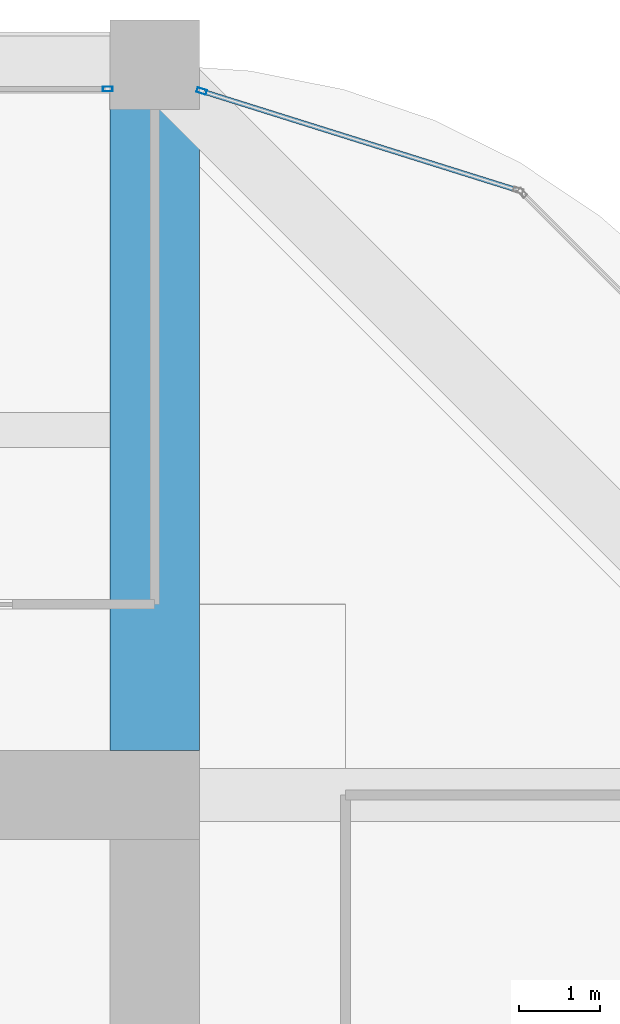
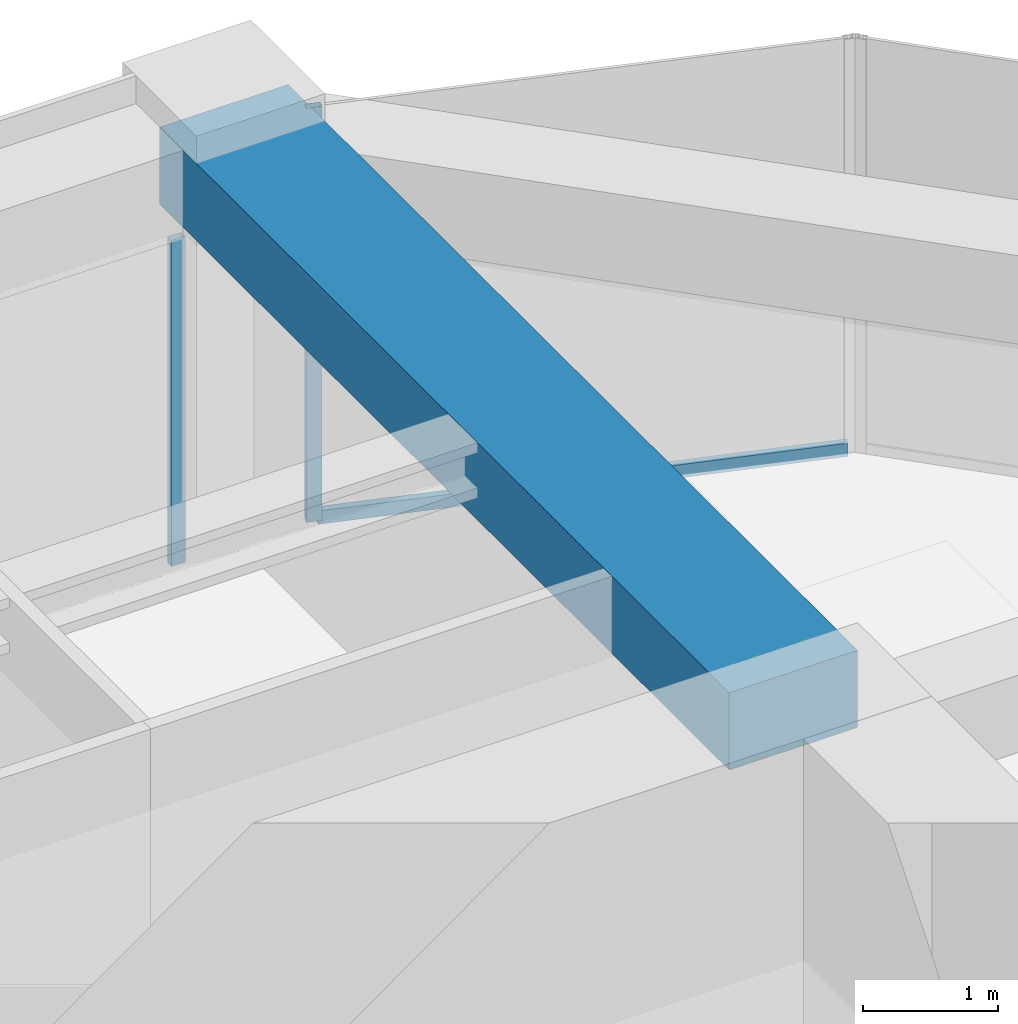
# One storey, part 37 of 44: 3 members, 1 beam, 2 elements without a shape of their own.
"""IFC4 building model written with IfcOpenShell, lengths in metres."""

from ifc_helpers import new_model, si_unit, direction, frame, origin, origin_2d, place, context, subcontext, project, spatial, rectangle, hollow_rectangle, extrude, material, material_profile, profile_set, type_object, element, aggregate, save


model = new_model("IFC4")

# Units and contexts
model_context = context("Model", 3, precision=1e-05, world=origin(), true_north=direction((0.0, 1.0)))
body_context = subcontext(model_context, "Body", "Model", "MODEL_VIEW")
ifc_project = project(units=[si_unit("LENGTHUNIT", "METRE"), si_unit("AREAUNIT", "SQUARE_METRE"), si_unit("VOLUMEUNIT", "CUBIC_METRE"), si_unit("PLANEANGLEUNIT", "RADIAN"), si_unit("MASSUNIT", "GRAM", prefix="KILO")], contexts=[model_context])

# Site, building, storey
site_placement = place(None, origin())
site = spatial("IfcSite", under=ifc_project, at=site_placement, CompositionType="ELEMENT")
building_placement = place(site_placement, origin())
building = spatial("IfcBuilding", under=site, at=building_placement, Name="Zorevar Civic Tower", CompositionType="ELEMENT")
storey_placement = place(building_placement, frame((0.0, 0.0, 251.39990234375)))
storey = spatial("IfcBuildingStorey", under=building, at=storey_placement, Name="L61", CompositionType="ELEMENT", Elevation=251.39990234375)

# Beam
ifc_material_1 = material(Name="Concrete C50/60", Category="concrete")
ifc_material_profile_1 = material_profile(ifc_material_1, rectangle(XDim=1.10009765625, YDim=0.699951171875, at=origin_2d()), Name="RC 1100x700")
ifc_profile_set_1 = profile_set([ifc_material_profile_1], Name="Concrete C50/60")
beam_type = type_object("IfcBeamType", Name="Beam RC 1100x700", PredefinedType="BEAM", material=ifc_profile_set_1)
beam_placement = place(storey_placement, frame((45.0, 36.550048828125, 3.400146484375), z_axis=(0.0, 1.0, 0.0), x_axis=(-1.0, 0.0, 0.0)))
element("IfcBeam", 1, at=beam_placement, inside=storey, type_object=beam_type, Name="Girder L62", PredefinedType="BEAM", context=body_context, shape_type="SweptSolid", body=[
    extrude(rectangle(XDim=1.10009765625, YDim=0.699951171875, at=origin_2d()), origin(), (0.0, 0.0, 1.0), 8.449951171875),
])

# Curtain wall, member
ifc_material_2 = material(Name="Dark grey solar-control glass in black aluminium frame", Category="aluminium")
curtain_wall_type = type_object("IfcCurtainWallType", Name="Curtain wall CW5 top zone", PredefinedType="NOTDEFINED", material=ifc_material_2)
curtain_wall_1_placement = place(storey_placement, origin())
curtain_wall_1 = element("IfcCurtainWall", 2, at=curtain_wall_1_placement, inside=storey, type_object=curtain_wall_type, Name="CW5 L61", PredefinedType="NOTDEFINED")
ifc_material_3 = material(Name="Aluminium, black anodised", Category="aluminium")
ifc_material_profile_2 = material_profile(ifc_material_3, hollow_rectangle(XDim=0.06005859375, YDim=0.1201171875, WallThickness=0.0029296875, at=origin_2d()), Name="AL 120x60x3")
ifc_profile_set_2 = profile_set([ifc_material_profile_2], Name="Aluminium, black anodised")
member_type_1 = type_object("IfcMemberType", Name="CW5 mullion AL 120x60x3", PredefinedType="MULLION", material=ifc_profile_set_2)
member_1_placement = place(storey_placement, frame((44.419921875, 44.699951171875, 0.0), z_axis=(0.0, 0.0, 1.0), x_axis=(0.0, 1.0, 0.0)))
member_1 = element("IfcMember", 3, at=member_1_placement, type_object=member_type_1, Name="CW5 mullion 3", PredefinedType="MULLION", context=body_context, shape_type="SweptSolid", body=[
    extrude(hollow_rectangle(XDim=0.06005859375, YDim=0.1201171875, WallThickness=0.0029296875, at=origin_2d()), origin(), (0.0, 0.0, 1.0), 2.9501953125),
])
aggregate(curtain_wall_1, [member_1])

# Curtain wall, members
curtain_wall_2_placement = place(storey_placement, origin())
curtain_wall_2 = element("IfcCurtainWall", 4, at=curtain_wall_2_placement, inside=storey, type_object=curtain_wall_type, Name="CW5 L61", PredefinedType="NOTDEFINED")
member_2_placement = place(storey_placement, frame((45.57861328125, 44.673583984375, 0.0), z_axis=(0.0, 0.0, 1.0), x_axis=(-0.299317920238, -0.954153437674, 0.0)))
member_2 = element("IfcMember", 5, at=member_2_placement, type_object=member_type_1, Name="CW5 mullion 2", PredefinedType="MULLION", context=body_context, shape_type="SweptSolid", body=[
    extrude(hollow_rectangle(XDim=0.06005859375, YDim=0.1201171875, WallThickness=0.0029296875, at=origin_2d()), origin(), (0.0, 0.0, 1.0), 3.75),
])
ifc_material_4 = material(Name="Aluminium, black anodised", Category="aluminium")
ifc_material_profile_3 = material_profile(ifc_material_4, hollow_rectangle(XDim=0.06005859375, YDim=0.1201171875, WallThickness=0.0029296875, at=origin_2d()), Name="AL 120x60x3")
ifc_profile_set_3 = profile_set([ifc_material_profile_3], Name="Aluminium, black anodised")
member_type_2 = type_object("IfcMemberType", Name="CW5 transom AL 120x60x3", PredefinedType="USERDEFINED", material=ifc_profile_set_3)
member_3_placement = place(storey_placement, frame((49.45068359375, 43.458984375, 0.030029296875), z_axis=(-0.954163457351, 0.299285978047, 0.0), x_axis=(-0.299285978047, -0.954163457351, 0.0)))
member_3 = element("IfcMember", 6, at=member_3_placement, type_object=member_type_2, Name="CW5 sill transom", ObjectType="TRANSOM", PredefinedType="USERDEFINED", context=body_context, shape_type="SweptSolid", body=[
    extrude(hollow_rectangle(XDim=0.06005859375, YDim=0.1201171875, WallThickness=0.0029296875, at=origin_2d()), origin(), (0.0, 0.0, 1.0), 4.028076171875),
])
aggregate(curtain_wall_2, [member_2, member_3])

save(model, "model.ifc")
